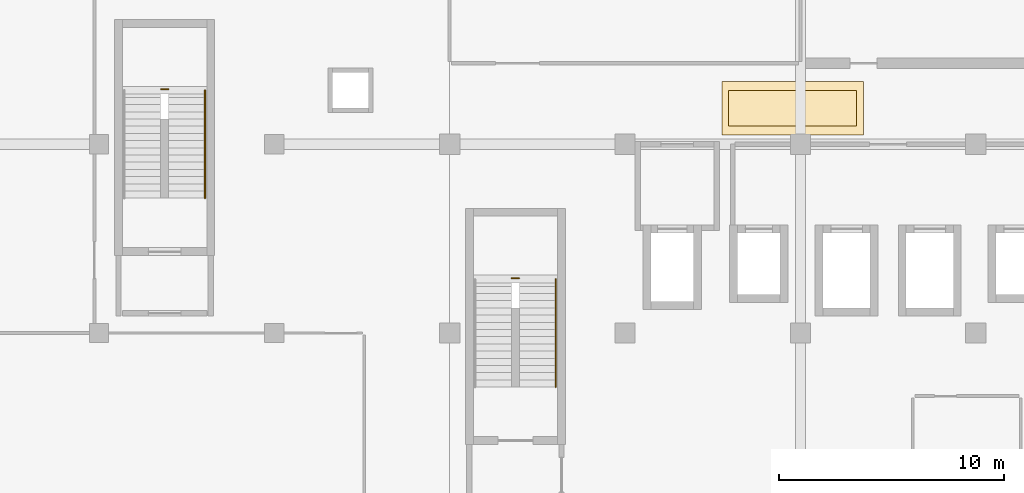
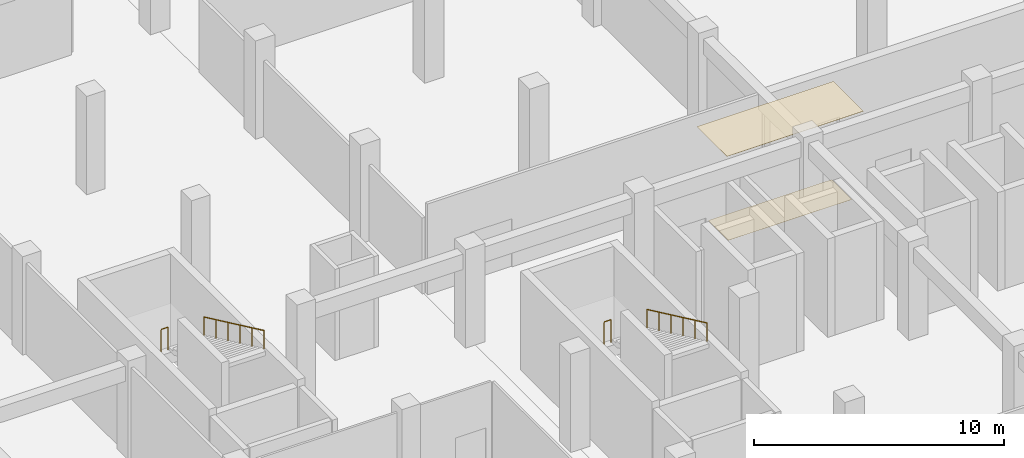
# One storey, part 63 of 74: 4 railings, 2 coverings.
"""IFC4 building model written with IfcOpenShell, lengths in metres."""

import ifcopenshell
import ifcopenshell.guid

model = None  # the IFC model being written
_history = None  # IfcOwnerHistory: only IFC2X3 demands one
_inside = {}  # id of a spatial element -> (the spatial element, [elements in it])
_under = {}  # id of a project, library or spatial element -> (it, [spatial elements below it])
_declared = {}  # id of a project -> (the project, [libraries it declares])
_typed = {}  # id of a type object -> (the type object, [elements of that type])
_made_of = {}  # id of a material, layer set ... -> (it, [elements and type objects made of it])


def new_model(schema):
    """Start an empty IFC model of exactly this schema.

    Asked for "IFC4X3", IfcOpenShell would pick the latest addendum, in which some entities
    have other attributes; the version numbers below select the first issue.
    IFC2X3 requires an IfcOwnerHistory on every rooted entity: one is made here for all.
    """
    global model, _history
    if schema == "IFC4X3":
        model = ifcopenshell.file(schema_version=(4, 3, 0, 0))
    else:
        model = ifcopenshell.file(schema=schema)
    _inside.clear()
    _under.clear()
    _declared.clear()
    _typed.clear()
    _made_of.clear()
    _history = None
    if model.schema == "IFC2X3":
        org = make("IfcOrganization", Name="unknown")
        user = make(
            "IfcPersonAndOrganization",
            ThePerson=make("IfcPerson", FamilyName="unknown"),
            TheOrganization=org,
        )
        app = make(
            "IfcApplication",
            ApplicationDeveloper=org,
            Version="unknown",
            ApplicationFullName="unknown",
            ApplicationIdentifier="unknown",
        )
        _history = make(
            "IfcOwnerHistory",
            OwningUser=user,
            OwningApplication=app,
            ChangeAction="ADDED",
            CreationDate=0,
        )
    return model


def make(cls, **values):
    """One entity of the class cls with the attributes given. An attribute that is None is left unset."""
    return model.create_entity(
        cls, **{name: value for name, value in values.items() if value is not None}
    )


def rooted(cls, **values):
    """An entity with a GlobalId (a new one), such as an element, a storey or a relation."""
    return make(cls, GlobalId=ifcopenshell.guid.new(), OwnerHistory=_history, **values)


def si_unit(unit_type, name, prefix=None):
    """IfcSIUnit, for example si_unit("LENGTHUNIT", "METRE", prefix="MILLI")."""
    return make("IfcSIUnit", UnitType=unit_type, Prefix=prefix, Name=name)


def assignment(units):
    """IfcUnitAssignment: the units of a project."""
    return None if units is None else make("IfcUnitAssignment", Units=units)


def point(xyz):
    """IfcCartesianPoint."""
    return None if xyz is None else make("IfcCartesianPoint", Coordinates=xyz)


def direction(xyz):
    """IfcDirection."""
    return None if xyz is None else make("IfcDirection", DirectionRatios=xyz)


def frame(location, z_axis=None, x_axis=None):
    """IfcAxis2Placement3D, a coordinate frame: its origin and axes. An axis left out is left unset."""
    return make(
        "IfcAxis2Placement3D",
        Location=point(location),
        Axis=direction(z_axis),
        RefDirection=direction(x_axis),
    )


def frame_2d(location, x_axis=None):
    """IfcAxis2Placement2D, a coordinate frame in the plane: its origin and x axis."""
    return make(
        "IfcAxis2Placement2D", Location=point(location), RefDirection=direction(x_axis)
    )


def origin():
    """The frame at (0, 0, 0) with its axes left unset."""
    return frame((0.0, 0.0, 0.0))


def origin_2d():
    """The frame at (0, 0) in the plane with its x axis left unset."""
    return frame_2d((0.0, 0.0))


def place(relative_to, where):
    """IfcLocalPlacement: puts the frame where relative to a parent placement (None: the world)."""
    return make(
        "IfcLocalPlacement", PlacementRelTo=relative_to, RelativePlacement=where
    )


def context(
    kind, dimensions, precision=None, world=None, true_north=None, identifier=None
):
    """IfcGeometricRepresentationContext, for example the 3D "Model" context."""
    return make(
        "IfcGeometricRepresentationContext",
        ContextIdentifier=identifier,
        ContextType=kind,
        CoordinateSpaceDimension=dimensions,
        Precision=precision,
        WorldCoordinateSystem=world,
        TrueNorth=true_north,
    )


def subcontext(parent, identifier, kind, view, scale=None):
    """IfcGeometricRepresentationSubContext, for example "Body" below "Model"."""
    return make(
        "IfcGeometricRepresentationSubContext",
        ContextIdentifier=identifier,
        ContextType=kind,
        ParentContext=parent,
        TargetScale=scale,
        TargetView=view,
    )


def project(units=None, contexts=None):
    """IfcProject with its units and contexts."""
    return rooted(
        "IfcProject",
        Name="project",
        RepresentationContexts=contexts,
        UnitsInContext=assignment(units),
    )


def spatial(cls, under=None, at=None, **own):
    """A site, building, storey or space (cls), placed at a placement, below another one or the project."""
    s = rooted(cls, ObjectPlacement=at, **own)
    if under is not None:
        _under.setdefault(under.id(), (under, []))[1].append(s)
    return s


def polyline(points):
    """IfcPolyline through the points."""
    return make("IfcPolyline", Points=[point(p) for p in points])


def profile(cls, at=None, kind="AREA", **sizes):
    """A parametric profile (cls). Its sizes go by their IFC names, for example OverallWidth=200.0."""
    return make(cls, ProfileType=kind, Position=at, **sizes)


def circle(**sizes):
    """IfcCircleProfileDef."""
    return profile("IfcCircleProfileDef", **sizes)


def outline(outer, holes=None, kind="AREA"):
    """IfcArbitraryClosedProfileDef: a profile drawn as a closed curve; with holes, ...WithVoids."""
    if holes is None:
        return make("IfcArbitraryClosedProfileDef", ProfileType=kind, OuterCurve=outer)
    return make(
        "IfcArbitraryProfileDefWithVoids",
        ProfileType=kind,
        OuterCurve=outer,
        InnerCurves=holes,
    )


def extrude(swept, where, along, depth):
    """IfcExtrudedAreaSolid: the profile swept, set in the frame where, extruded along a direction by depth."""
    return make(
        "IfcExtrudedAreaSolid",
        SweptArea=swept,
        Position=where,
        ExtrudedDirection=direction(along),
        Depth=depth,
    )


def shape(context_of_items, identifier, shape_type, items):
    """IfcShapeRepresentation: the items that make up one representation, for example the "Body"."""
    return make(
        "IfcShapeRepresentation",
        ContextOfItems=context_of_items,
        RepresentationIdentifier=identifier,
        RepresentationType=shape_type,
        Items=items,
    )


def material(Name=None, Category=None):
    """IfcMaterial."""
    return make("IfcMaterial", Name=Name, Category=Category)


def layer(
    of_material, thickness, ventilated=None, Name=None, Category=None, Priority=None
):
    """IfcMaterialLayer: one layer of a wall or slab, of a material (None: an air gap)."""
    return make(
        "IfcMaterialLayer",
        Material=of_material,
        LayerThickness=thickness,
        IsVentilated=ventilated,
        Name=Name,
        Category=Category,
        Priority=Priority,
    )


def layer_set(layers, Name=None):
    """IfcMaterialLayerSet."""
    return make("IfcMaterialLayerSet", MaterialLayers=layers, LayerSetName=Name)


def made_of(thing, what):
    """Note that an element or type object is made of a material, layer set ...; save() writes the relation."""
    if what is not None:
        _made_of.setdefault(what.id(), (what, []))[1].append(thing)
    return thing


def type_object(cls, material=None, **own):
    """A type object (cls), such as IfcWallType, which elements share."""
    return made_of(rooted(cls, **own), material)


def element(
    cls,
    number,
    at=None,
    inside=None,
    cuts=None,
    type_object=None,
    material=None,
    context=None,
    identifier="Body",
    shape_type=None,
    held_by="IfcProductDefinitionShape",
    body=None,
    shapes=None,
    **own,
):
    """One element of the class cls, such as IfcWall. Its Tag is "e" and its number.

    at: its placement. inside: the storey or other place that contains it. cuts: it is an
    opening in that element (IfcRelVoidsElement). A single representation is given by context,
    identifier, shape_type and body (its items); several are given by shapes. held_by: the class
    of the entity that holds the representations. save() writes the other relations.
    """
    e = rooted(cls, Tag="e%d" % number, ObjectPlacement=at, **own)
    if body is not None:
        shapes = [shape(context, identifier, shape_type, body)]
    if shapes is not None:
        e.Representation = make(held_by, Representations=shapes)
    if inside is not None:
        _inside.setdefault(inside.id(), (inside, []))[1].append(e)
    if cuts is not None:
        rooted(
            "IfcRelVoidsElement", RelatingBuildingElement=cuts, RelatedOpeningElement=e
        )
    if type_object is not None:
        _typed.setdefault(type_object.id(), (type_object, []))[1].append(e)
    return made_of(e, material)


def aggregate(whole, parts):
    """IfcRelAggregates: a whole, such as a stair, and the parts it consists of."""
    return rooted("IfcRelAggregates", RelatingObject=whole, RelatedObjects=parts)


def save(model, path):
    """Write the relations noted so far, then the file.

    IfcRelAggregates (storeys below a building ...), IfcRelContainedInSpatialStructure (elements
    in a storey), IfcRelDefinesByType, IfcRelAssociatesMaterial and IfcRelDeclares: one each for
    every whole, place, type object, material and project.
    """
    for whole, parts in _under.values():
        aggregate(whole, parts)
    for where, things in _inside.values():
        rooted(
            "IfcRelContainedInSpatialStructure",
            RelatedElements=things,
            RelatingStructure=where,
        )
    for kind, things in _typed.values():
        rooted("IfcRelDefinesByType", RelatedObjects=things, RelatingType=kind)
    for what, things in _made_of.values():
        rooted("IfcRelAssociatesMaterial", RelatedObjects=things, RelatingMaterial=what)
    for by, libraries in _declared.values():
        rooted("IfcRelDeclares", RelatingContext=by, RelatedDefinitions=libraries)
    model.write(path)


model = new_model("IFC4")

# Units and contexts
model_context = context("Model", 3, precision=1e-05, world=origin(), true_north=direction((0.0, 1.0)))
body_context = subcontext(model_context, "Body", "Model", "MODEL_VIEW")
ifc_project = project(units=[si_unit("LENGTHUNIT", "METRE"), si_unit("AREAUNIT", "SQUARE_METRE"), si_unit("VOLUMEUNIT", "CUBIC_METRE"), si_unit("PLANEANGLEUNIT", "RADIAN"), si_unit("MASSUNIT", "GRAM", prefix="KILO"), si_unit("THERMODYNAMICTEMPERATUREUNIT", "KELVIN"), si_unit("POWERUNIT", "WATT")], contexts=[model_context])

# Site, building, storey
site_placement = place(None, origin())
site = spatial("IfcSite", under=ifc_project, at=site_placement, CompositionType="ELEMENT")
building_placement = place(site_placement, origin())
building = spatial("IfcBuilding", under=site, at=building_placement, Name="Srebrne Nadtorze General Hospital", CompositionType="ELEMENT")
storey_placement = place(building_placement, origin())
storey = spatial("IfcBuildingStorey", under=building, at=storey_placement, Name="L00", CompositionType="ELEMENT", Elevation=0.0)

# Coverings
ifc_material_1 = material(Name="Medical Vinyl Flooring")
ifc_layer_1 = layer(ifc_material_1, 0.006103515625)
ifc_layer_set_1 = layer_set([ifc_layer_1], Name="Medical Vinyl Flooring")
covering_type_1 = type_object("IfcCoveringType", Name="Antistatic medical vinyl flooring", PredefinedType="FLOORING", material=ifc_layer_set_1)
covering_1_placement = place(storey_placement, origin())
element("IfcCovering", 1, at=covering_1_placement, inside=storey, type_object=covering_type_1, Name="Medical vinyl flooring L00", PredefinedType="FLOORING", context=body_context, shape_type="SweptSolid", body=[
    extrude(outline(polyline([(35.800048828125, 51.199951171875), (41.5, 51.199951171875), (41.5, 52.800048828125), (35.800048828125, 52.800048828125), (35.800048828125, 51.199951171875)])), origin(), (0.0, 0.0, 1.0), 0.006103515625),
])
ifc_material_2 = material(Name="Acoustic Mineral Ceiling")
ifc_layer_2 = layer(ifc_material_2, 0.014892578125)
ifc_layer_set_2 = layer_set([ifc_layer_2], Name="Acoustic Mineral Ceiling")
covering_type_2 = type_object("IfcCoveringType", Name="Hygienic acoustic ceiling tile", PredefinedType="CEILING", material=ifc_layer_set_2)
covering_2_placement = place(storey_placement, frame((0.0, 0.0, 4.43505859375)))
element("IfcCovering", 2, at=covering_2_placement, inside=storey, type_object=covering_type_2, Name="Acoustic ceiling L00", PredefinedType="CEILING", context=body_context, shape_type="SweptSolid", body=[
    extrude(outline(polyline([(35.5, 50.800048828125), (41.800048828125, 50.800048828125), (41.800048828125, 53.199951171875), (35.5, 53.199951171875), (35.5, 50.800048828125)])), origin(), (0.0, 0.0, 1.0), 0.014892578125),
])

# Railings
ifc_material_3 = material(Name="Stainless Steel 316", Category="steel")
railing_type_1 = type_object("IfcRailingType", Name="Stairwell safety guard 1120", PredefinedType="BALUSTRADE", material=ifc_material_3)
for number, where, name in (
    (3, (26.1650390625, 44.43994140625, 2.39990234375), "Half landing well guard ST-01-L00"),
    (4, (10.56494140625, 52.840087890625, 2.39990234375), "Half landing well guard ST-05-L00"),
):
    element("IfcRailing", number, at=place(storey_placement, frame(where)), inside=storey, type_object=railing_type_1, Name=name, PredefinedType="BALUSTRADE", context=body_context, shape_type="SweptSolid", body=[
        extrude(circle(Radius=0.02392578125, at=origin_2d()), frame((0.0, 0.0, 1.09619140625), z_axis=(1.0, 0.0, 0.0), x_axis=(0.0, 1.0, 0.0)), (0.0, 0.0, 1.0), 0.320068359375),
        extrude(circle(Radius=0.02099609375, at=origin_2d()), origin(), (0.0, 0.0, 1.0), 1.072021484375),
        extrude(circle(Radius=0.02099609375, at=origin_2d()), frame((0.320068359375, 0.0, 0.0)), (0.0, 0.0, 1.0), 1.072021484375),
    ])
ifc_material_4 = material(Name="Stainless Steel 316", Category="steel")
railing_type_2 = type_object("IfcRailingType", Name="Tubular stainless handrail 920", PredefinedType="HANDRAIL", material=ifc_material_4)
railing_1_placement = place(storey_placement, frame((28.1201171875, 44.39990234375, 2.550048828125)))
element("IfcRailing", 5, at=railing_1_placement, inside=storey, type_object=railing_type_2, Name="Stair flight handrail ST-01-L00 F2", PredefinedType="HANDRAIL", context=body_context, shape_type="SweptSolid", body=[
    extrude(circle(Radius=0.02392578125, at=origin_2d()), frame((0.0, 0.0, 0.89599609375), z_axis=(0.0, -0.905452298538, 0.424448035774), x_axis=(1.0, 0.0, 0.0)), (0.0, 0.0, 1.0), 5.301025390625),
    extrude(circle(Radius=0.02099609375, at=origin_2d()), origin(), (0.0, 0.0, 1.0), 0.871826171875),
    extrude(circle(Radius=0.02099609375, at=origin_2d()), frame((0.0, -0.9599609375, 0.449951171875)), (0.0, 0.0, 1.0), 0.871826171875),
    extrude(circle(Radius=0.02099609375, at=origin_2d()), frame((0.0, -1.919921875, 0.89990234375)), (0.0, 0.0, 1.0), 0.871826171875),
    extrude(circle(Radius=0.02099609375, at=origin_2d()), frame((0.0, -2.8798828125, 1.35009765625)), (0.0, 0.0, 1.0), 0.871826171875),
    extrude(circle(Radius=0.02099609375, at=origin_2d()), frame((0.0, -3.83984375, 1.800048828125)), (0.0, 0.0, 1.0), 0.871826171875),
    extrude(circle(Radius=0.02099609375, at=origin_2d()), frame((0.0, -4.7998046875, 2.25)), (0.0, 0.0, 1.0), 0.871826171875),
])
railing_2_placement = place(storey_placement, frame((12.52001953125, 52.800048828125, 2.550048828125)))
element("IfcRailing", 6, at=railing_2_placement, inside=storey, type_object=railing_type_2, Name="Stair flight handrail ST-05-L00 F2", PredefinedType="HANDRAIL", context=body_context, shape_type="SweptSolid", body=[
    extrude(circle(Radius=0.02392578125, at=origin_2d()), frame((0.0, 0.0, 0.89599609375), z_axis=(0.0, -0.90546059521, 0.424430336476), x_axis=(1.0, 0.0, 0.0)), (0.0, 0.0, 1.0), 5.30126953125),
    extrude(circle(Radius=0.02099609375, at=origin_2d()), origin(), (0.0, 0.0, 1.0), 0.871826171875),
    extrude(circle(Radius=0.02099609375, at=origin_2d()), frame((0.0, -0.9599609375, 0.449951171875)), (0.0, 0.0, 1.0), 0.871826171875),
    extrude(circle(Radius=0.02099609375, at=origin_2d()), frame((0.0, -1.919921875, 0.89990234375)), (0.0, 0.0, 1.0), 0.871826171875),
    extrude(circle(Radius=0.02099609375, at=origin_2d()), frame((0.0, -2.880126953125, 1.35009765625)), (0.0, 0.0, 1.0), 0.871826171875),
    extrude(circle(Radius=0.02099609375, at=origin_2d()), frame((0.0, -3.840087890625, 1.800048828125)), (0.0, 0.0, 1.0), 0.871826171875),
    extrude(circle(Radius=0.02099609375, at=origin_2d()), frame((0.0, -4.800048828125, 2.25)), (0.0, 0.0, 1.0), 0.871826171875),
])

save(model, "model.ifc")
